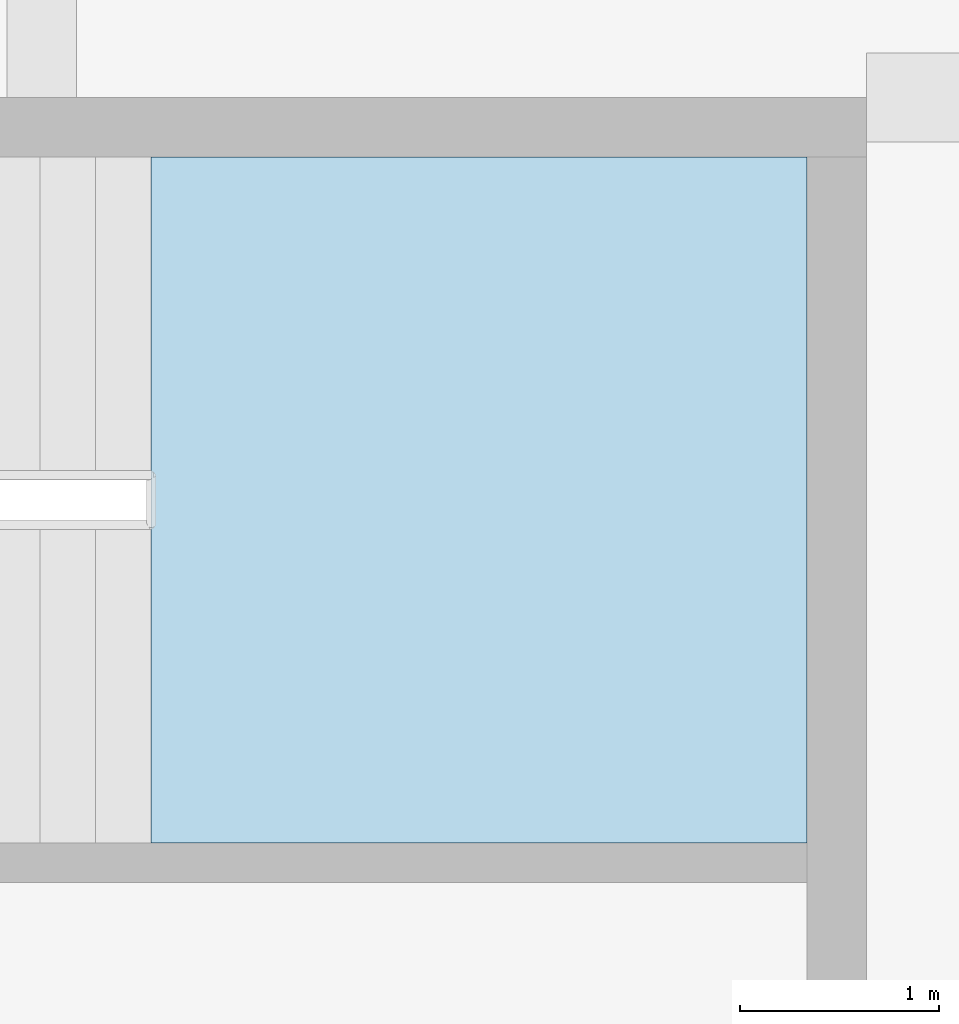
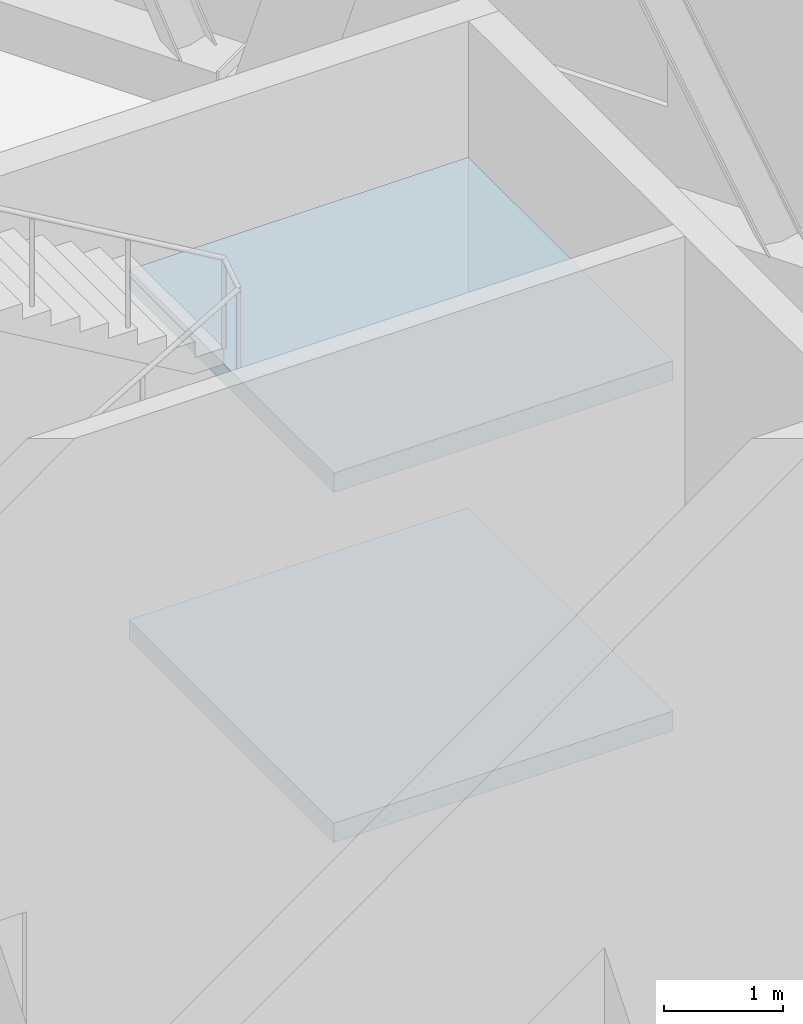
# One storey, part 4 of 13: 2 slabs, 1 element without a shape of its own.
"""IFC4 building model written with IfcOpenShell, lengths in metres."""

from ifc_helpers import new_model, si_unit, direction, frame, origin, place, context, subcontext, project, spatial, polyline, outline, extrude, material, layer, layer_set, type_object, element, aggregate, save


model = new_model("IFC4")

# Units and contexts
model_context = context("Model", 3, precision=1e-05, world=origin(), true_north=direction((0.0, 1.0)))
body_context = subcontext(model_context, "Body", "Model", "MODEL_VIEW")
ifc_project = project(units=[si_unit("LENGTHUNIT", "METRE"), si_unit("AREAUNIT", "SQUARE_METRE"), si_unit("VOLUMEUNIT", "CUBIC_METRE"), si_unit("PLANEANGLEUNIT", "RADIAN"), si_unit("MASSUNIT", "GRAM", prefix="KILO")], contexts=[model_context])

# Site, building, storey
site_placement = place(None, origin())
site = spatial("IfcSite", under=ifc_project, at=site_placement, CompositionType="ELEMENT")
building_placement = place(site_placement, origin())
building = spatial("IfcBuilding", under=site, at=building_placement, Name="Fogline Exchange Tower", CompositionType="ELEMENT")
storey_placement = place(building_placement, frame((0.0, 0.0, 174.89990234375)))
storey = spatial("IfcBuildingStorey", under=building, at=storey_placement, Name="L39", CompositionType="ELEMENT", Elevation=174.89990234375)

# Stair, slabs
ifc_material = material(Name="Concrete C40", Category="concrete")
stair_type = type_object("IfcStairType", Name="STR44-1636", PredefinedType="HALF_TURN_STAIR", material=ifc_material)
stair_placement = place(storey_placement, origin())
stair = element("IfcStair", 1, at=stair_placement, inside=storey, type_object=stair_type, Name="Stair ST3", PredefinedType="HALF_TURN_STAIR")
ifc_layer = layer(ifc_material, 0.199951171875)
ifc_layer_set = layer_set([ifc_layer], Name="SL200")
slab_type = type_object("IfcSlabType", Name="SL200", PredefinedType="LANDING", material=ifc_layer_set)
slab_1_placement = place(storey_placement, frame((0.0, 0.0, 1.60009765625)))
slab_1 = element("IfcSlab", 2, at=slab_1_placement, type_object=slab_type, Name="ST3 landing 1", PredefinedType="LANDING", context=body_context, shape_type="SweptSolid", body=[
    extrude(outline(polyline([(0.550048828125, 32.10693359375), (3.85009765625, 32.10693359375), (3.85009765625, 35.556884765625), (0.550048828125, 35.556884765625), (0.550048828125, 32.10693359375)])), origin(), (0.0, 0.0, 1.0), 0.199951171875),
])
slab_2_placement = place(storey_placement, frame((0.0, 0.0, 5.2001953125)))
slab_2 = element("IfcSlab", 3, at=slab_2_placement, type_object=slab_type, Name="ST3 landing 3", PredefinedType="LANDING", context=body_context, shape_type="SweptSolid", body=[
    extrude(outline(polyline([(0.550048828125, 32.10693359375), (3.85009765625, 32.10693359375), (3.85009765625, 35.556884765625), (0.550048828125, 35.556884765625), (0.550048828125, 32.10693359375)])), origin(), (0.0, 0.0, 1.0), 0.199951171875),
])
aggregate(stair, [slab_1, slab_2])

save(model, "model.ifc")
